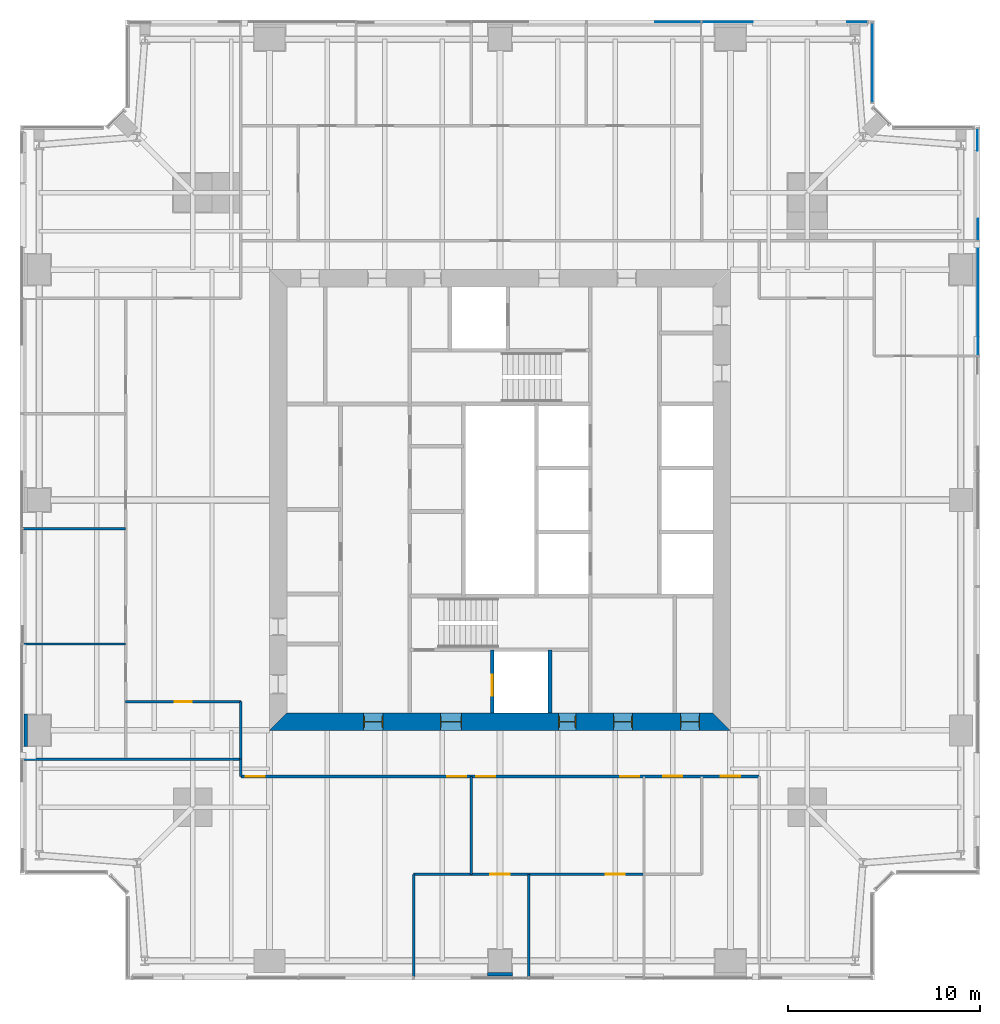
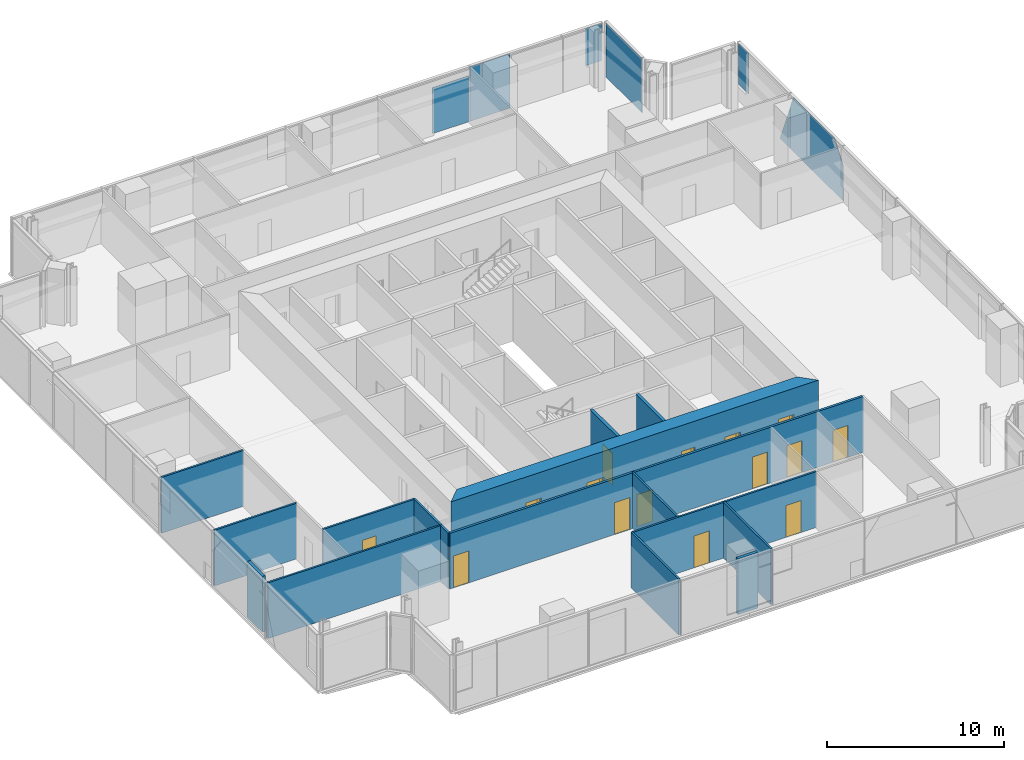
# One storey, part 9 of 14: 16 walls, 15 doors, 7 plates, 15 openings, 3 elements without a shape of their own.
"""IFC4 building model written with IfcOpenShell, lengths in metres."""

from ifc_helpers import new_model, si_unit, direction, frame, frame_2d, origin, origin_2d, place, context, subcontext, project, spatial, polyline, rectangle, outline, extrude, material, layer, layer_set, type_object, element, fill, aggregate, save


model = new_model("IFC4")

# Units and contexts
model_context = context("Model", 3, precision=1e-05, world=origin(), true_north=direction((0.0, 1.0)))
body_context = subcontext(model_context, "Body", "Model", "MODEL_VIEW")
ifc_project = project(units=[si_unit("LENGTHUNIT", "METRE"), si_unit("AREAUNIT", "SQUARE_METRE"), si_unit("VOLUMEUNIT", "CUBIC_METRE"), si_unit("PLANEANGLEUNIT", "RADIAN"), si_unit("MASSUNIT", "GRAM", prefix="KILO")], contexts=[model_context])

# Site, building, storey
site_placement = place(None, origin())
site = spatial("IfcSite", under=ifc_project, at=site_placement, CompositionType="ELEMENT")
building_placement = place(site_placement, origin())
building = spatial("IfcBuilding", under=site, at=building_placement, Name="Fenwick Lantern Interchange", CompositionType="ELEMENT")
storey_placement = place(building_placement, frame((0.0, 0.0, 189.800048828125)))
storey = spatial("IfcBuildingStorey", under=building, at=storey_placement, Name="L44", CompositionType="ELEMENT", Elevation=189.800048828125)

# Curtain wall, plates
ifc_material_1 = material(Name="Aluminium curtain wall frame", Category="aluminium")
curtain_wall_type = type_object("IfcCurtainWallType", Name="OFFICE CURTAIN WALL", PredefinedType="USERDEFINED", material=ifc_material_1)
curtain_wall_1_placement = place(storey_placement, origin())
curtain_wall_1 = element("IfcCurtainWall", 1, at=curtain_wall_1_placement, inside=storey, type_object=curtain_wall_type, Name="Office curtain wall 05", ObjectType="OFFICE CURTAIN WALL", PredefinedType="USERDEFINED")
ifc_material_2 = material(Name="Vision glass, clear low-iron double glazed", Category="glass")
ifc_layer_1 = layer(ifc_material_2, 0.031982421875)
ifc_layer_set_1 = layer_set([ifc_layer_1], Name="OFFICE CURTAIN WALL PANEL 32")
plate_type = type_object("IfcPlateType", Name="OFFICE CURTAIN WALL PANEL 32", PredefinedType="CURTAIN_PANEL", material=ifc_layer_set_1)
plate_1_placement = place(storey_placement, frame((49.89990234375, 5.60009765625, 0.0), z_axis=(0.0, 0.0, 1.0), x_axis=(0.0, 1.0, 0.0)))
plate_1 = element("IfcPlate", 2, at=plate_1_placement, type_object=plate_type, Name="L44/CW/05/P05a", PredefinedType="CURTAIN_PANEL", context=body_context, shape_type="SweptSolid", body=[
    extrude(outline(polyline([(26.9326171875, 0.0), (32.867431640625, 0.0), (32.867431640625, 2.999267578125), (32.5625, 3.75), (27.9169921875, 3.75), (26.9326171875, 2.437255859375), (26.9326171875, 0.0)])), frame((0.0, 0.01611328125, 0.0), z_axis=(0.0, -1.0, 0.0), x_axis=(1.0, 0.0, 0.0)), (0.0, 0.0, 1.0), 0.031982421875),
])
plate_2_placement = place(storey_placement, frame((49.89990234375, 5.60009765625, 0.0), z_axis=(0.0, 0.0, 1.0), x_axis=(0.0, 1.0, 0.0)))
plate_2 = element("IfcPlate", 3, at=plate_2_placement, type_object=plate_type, Name="L44/CW/05/P06a", PredefinedType="CURTAIN_PANEL", context=body_context, shape_type="SweptSolid", body=[
    extrude(outline(polyline([(32.9326171875, 0.0), (34.0859375, 0.0), (32.9326171875, 2.839111328125), (32.9326171875, 0.0)])), frame((0.0, 0.01611328125, 0.0), z_axis=(0.0, -1.0, 0.0), x_axis=(1.0, 0.0, 0.0)), (0.0, 0.0, 1.0), 0.031982421875),
])
plate_3_placement = place(storey_placement, frame((49.89990234375, 5.60009765625, 0.931396484375), z_axis=(0.0, 0.0, 1.0), x_axis=(0.0, 1.0, 0.0)))
plate_3 = element("IfcPlate", 4, at=plate_3_placement, type_object=plate_type, Name="L44/CW/05/P06b", PredefinedType="CURTAIN_PANEL", context=body_context, shape_type="SweptSolid", body=[
    extrude(outline(polyline([(37.59326171875, 0.0), (38.735107421875, 0.0), (38.735107421875, 2.818603515625), (37.59326171875, 2.818603515625), (37.59326171875, 0.0)])), frame((0.0, 0.0498046875, 0.0), z_axis=(0.0, -1.0, 0.0), x_axis=(1.0, 0.0, 0.0)), (0.0, 0.0, 1.0), 0.031982421875),
])
aggregate(curtain_wall_1, [plate_1, plate_2, plate_3])

# Curtain wall, plate
curtain_wall_2_placement = place(storey_placement, origin())
curtain_wall_2 = element("IfcCurtainWall", 5, at=curtain_wall_2_placement, inside=storey, type_object=curtain_wall_type, Name="Office curtain wall 08", ObjectType="OFFICE CURTAIN WALL", PredefinedType="USERDEFINED")
plate_4_placement = place(storey_placement, frame((44.39990234375, 47.779296875, 0.0), z_axis=(0.0, 0.0, 1.0), x_axis=(0.0, 1.0, 0.0)))
plate_4 = element("IfcPlate", 6, at=plate_4_placement, type_object=plate_type, Name="L44/CW/08/P00", PredefinedType="CURTAIN_PANEL", context=body_context, shape_type="SweptSolid", body=[
    extrude(rectangle(XDim=4.111328125, YDim=0.031982421875, at=origin_2d()), origin(), (0.0, 0.0, 1.0), 3.75),
])
aggregate(curtain_wall_2, [plate_4])

# Curtain wall, plates
curtain_wall_3_placement = place(storey_placement, origin())
curtain_wall_3 = element("IfcCurtainWall", 7, at=curtain_wall_3_placement, inside=storey, type_object=curtain_wall_type, Name="Office curtain wall 09", ObjectType="OFFICE CURTAIN WALL", PredefinedType="USERDEFINED")
plate_5_placement = place(storey_placement, frame((44.39990234375, 49.89990234375, 1.185546875), z_axis=(0.0, 0.0, 1.0), x_axis=(-1.0, 0.0, 0.0)))
plate_5 = element("IfcPlate", 8, at=plate_5_placement, type_object=plate_type, Name="L44/CW/09/P00a", PredefinedType="CURTAIN_PANEL", context=body_context, shape_type="SweptSolid", body=[
    extrude(outline(polyline([(0.264892578125, 0.0), (1.31005859375, 0.0), (1.31005859375, 2.564453125), (0.264892578125, 2.564453125), (0.264892578125, 0.0)])), frame((0.0, 0.01611328125, 0.0), z_axis=(0.0, -1.0, 0.0), x_axis=(1.0, 0.0, 0.0)), (0.0, 0.0, 1.0), 0.031982421875),
])
plate_6_placement = place(storey_placement, frame((44.39990234375, 49.89990234375, 0.0), z_axis=(0.0, 0.0, 1.0), x_axis=(-1.0, 0.0, 0.0)))
plate_6 = element("IfcPlate", 9, at=plate_6_placement, type_object=plate_type, Name="L44/CW/09/P01a", PredefinedType="CURTAIN_PANEL", context=body_context, shape_type="SweptSolid", body=[
    extrude(outline(polyline([(6.239013671875, 0.0), (8.867431640625, 0.0), (8.867431640625, 3.75), (6.239013671875, 3.75), (6.239013671875, 0.0)])), frame((0.0, 0.01611328125, 0.0), z_axis=(0.0, -1.0, 0.0), x_axis=(1.0, 0.0, 0.0)), (0.0, 0.0, 1.0), 0.031982421875),
])
plate_7_placement = place(storey_placement, frame((44.39990234375, 49.89990234375, 0.0), z_axis=(0.0, 0.0, 1.0), x_axis=(-1.0, 0.0, 0.0)))
plate_7 = element("IfcPlate", 10, at=plate_7_placement, type_object=plate_type, Name="L44/CW/09/P02a", PredefinedType="CURTAIN_PANEL", context=body_context, shape_type="SweptSolid", body=[
    extrude(outline(polyline([(8.9326171875, 0.0), (11.3125, 0.0), (11.3125, 3.17724609375), (8.9326171875, 3.17724609375), (8.9326171875, 0.0)])), frame((0.0, 0.01611328125, 0.0), z_axis=(0.0, -1.0, 0.0), x_axis=(1.0, 0.0, 0.0)), (0.0, 0.0, 1.0), 0.031982421875),
])
aggregate(curtain_wall_3, [plate_5, plate_6, plate_7])

# Walls
ifc_material_3 = material(Name="Fire-rated gypsum board encasement on steel studs, 2 hour", Category="steel")
ifc_layer_2 = layer(ifc_material_3, 1.300048828125)
ifc_layer_set_2 = layer_set([ifc_layer_2], Name="COLUMN PIER 1300")
wall_type_1 = type_object("IfcWallType", Name="COLUMN PIER 1300", PredefinedType="PARTITIONING", material=ifc_layer_set_2)
wall_1_placement = place(storey_placement, frame((25.0, 0.199951171875, 0.0), z_axis=(0.0, 0.0, 1.0), x_axis=(0.0, 1.0, 0.0)))
element("IfcWall", 11, at=wall_1_placement, inside=storey, type_object=wall_type_1, Name="L44/W/PIER/CS3", PredefinedType="PARTITIONING", context=body_context, shape_type="SweptSolid", body=[
    extrude(rectangle(XDim=0.199951171875, YDim=1.300048828125, at=frame_2d((0.10009765625, 0.0))), origin(), (0.0, 0.0, 1.0), 3.849853515625),
])
ifc_layer_3 = layer(ifc_material_3, 1.699951171875)
ifc_layer_set_3 = layer_set([ifc_layer_3], Name="COLUMN PIER 1700")
wall_type_2 = type_object("IfcWallType", Name="COLUMN PIER 1700", PredefinedType="PARTITIONING", material=ifc_layer_set_3)
wall_2_placement = place(storey_placement, frame((0.199951171875, 13.0, 0.0), z_axis=(0.0, 0.0, 1.0), x_axis=(1.0, 0.0, 0.0)))
element("IfcWall", 12, at=wall_2_placement, inside=storey, type_object=wall_type_2, Name="L44/W/PIER/CW4", PredefinedType="PARTITIONING", context=body_context, shape_type="SweptSolid", body=[
    extrude(rectangle(XDim=0.199951171875, YDim=1.699951171875, at=frame_2d((0.10009765625, 0.0))), origin(), (0.0, 0.0, 1.0), 3.849853515625),
])

# Wall, opening, door
ifc_material_4 = material(Name="Concrete masonry ASTM C90 Grade N", Category="masonry")
ifc_layer_4 = layer(ifc_material_4, 0.199951171875)
ifc_layer_set_4 = layer_set([ifc_layer_4], Name="Concrete masonry ASTM C90 Grade N")
wall_type_3 = type_object("IfcWallType", Name="CORE PARTITION 200", PredefinedType="PARTITIONING", material=ifc_layer_set_4)
wall_3_placement = place(storey_placement, frame((24.60009765625, 13.89990234375, 0.0), z_axis=(0.0, 0.0, 1.0), x_axis=(0.0, 1.0, 0.0)))
wall_3 = element("IfcWall", 13, at=wall_3_placement, inside=storey, type_object=wall_type_3, Name="L44/W/CORES/h1", PredefinedType="PARTITIONING", context=body_context, shape_type="SweptSolid", body=[
    extrude(rectangle(XDim=3.300048828125, YDim=0.199951171875, at=frame_2d((1.64990234375, 0.0))), origin(), (0.0, 0.0, 1.0), 3.800048828125),
])
opening_1_placement = place(wall_3_placement, frame((0.89990234375, 0.0, 0.0)))
opening_1 = element("IfcOpeningElement", 14, at=opening_1_placement, cuts=wall_3, Name="Opening LD-FL1", PredefinedType="OPENING", context=body_context, shape_type="SweptSolid", body=[
    extrude(rectangle(XDim=1.10009765625, YDim=2.199951171875, at=frame_2d((0.550048828125, 1.10009765625))), frame((0.0, 0.10986328125, 0.0), z_axis=(0.0, -1.0, 0.0), x_axis=(1.0, 0.0, 0.0)), (0.0, 0.0, 1.0), 0.219970703125),
])
ifc_material_5 = material(Name="Steel door and frame", Category="steel")
door_type_1 = type_object("IfcDoorType", Name="LIFT LANDING DOOR 1100 X 2200", OperationType="DOUBLE_DOOR_SLIDING", PredefinedType="DOOR", material=ifc_material_5)
door_1_placement = place(opening_1_placement, origin())
door_1 = element("IfcDoor", 15, at=door_1_placement, inside=storey, type_object=door_type_1, Name="Lift landing door FL1", OperationType="DOUBLE_DOOR_SLIDING", OverallHeight=2.199951171875, OverallWidth=1.10009765625, PredefinedType="DOOR", context=body_context, shape_type="SweptSolid", body=[
    extrude(rectangle(XDim=1.10009765625, YDim=2.199951171875, at=frame_2d((0.550048828125, 1.10009765625))), frame((0.0, 0.02490234375, 0.0), z_axis=(0.0, -1.0, 0.0), x_axis=(1.0, 0.0, 0.0)), (0.0, 0.0, 1.0), 0.050048828125),
])
fill(opening_1, door_1)

# Wall
wall_4_placement = place(storey_placement, frame((27.60009765625, 13.89990234375, 0.0), z_axis=(0.0, 0.0, 1.0), x_axis=(0.0, 1.0, 0.0)))
element("IfcWall", 16, at=wall_4_placement, inside=storey, type_object=wall_type_3, Name="L44/W/CORES/h2", PredefinedType="PARTITIONING", context=body_context, shape_type="SweptSolid", body=[
    extrude(rectangle(XDim=3.300048828125, YDim=0.199951171875, at=frame_2d((1.64990234375, 0.0))), origin(), (0.0, 0.0, 1.0), 3.800048828125),
])

# Wall, openings, doors
ifc_material_6 = material(Name="Concrete f'c 70 MPa", Category="concrete")
ifc_layer_5 = layer(ifc_material_6, 0.89990234375)
ifc_layer_set_5 = layer_set([ifc_layer_5], Name="CORE WALL 900")
wall_type_4 = type_object("IfcWallType", Name="CORE WALL 900", PredefinedType="SHEAR", material=ifc_layer_set_5)
wall_5_placement = place(storey_placement, frame((13.0, 13.449951171875, 0.0), z_axis=(0.0, 0.0, 1.0), x_axis=(1.0, 0.0, 0.0)))
wall_5 = element("IfcWall", 17, at=wall_5_placement, inside=storey, type_object=wall_type_4, Name="L44/CORE/S", PredefinedType="SHEAR", context=body_context, shape_type="SweptSolid", body=[
    extrude(outline(polyline([(0.0, -0.449951171875), (24.0, -0.449951171875), (23.10009765625, 0.449951171875), (0.89990234375, 0.449951171875), (0.0, -0.449951171875)])), origin(), (0.0, 0.0, 1.0), 4.0),
])
opening_2_placement = place(wall_5_placement, frame((4.89990234375, 0.0, 0.0)))
opening_2 = element("IfcOpeningElement", 18, at=opening_2_placement, cuts=wall_5, Name="Opening L44-D001", PredefinedType="OPENING", context=body_context, shape_type="SweptSolid", body=[
    extrude(rectangle(XDim=1.0, YDim=2.199951171875, at=frame_2d((0.5, 1.10009765625))), frame((0.0, 0.4599609375, 0.0), z_axis=(0.0, -1.0, 0.0), x_axis=(1.0, 0.0, 0.0)), (0.0, 0.0, 1.0), 0.919921875),
])
opening_3_placement = place(wall_5_placement, frame((8.89990234375, 0.0, 0.0)))
opening_3 = element("IfcOpeningElement", 19, at=opening_3_placement, cuts=wall_5, Name="Opening L44-D002", PredefinedType="OPENING", context=body_context, shape_type="SweptSolid", body=[
    extrude(rectangle(XDim=1.10009765625, YDim=2.199951171875, at=frame_2d((0.550048828125, 1.10009765625))), frame((0.0, 0.4599609375, 0.0), z_axis=(0.0, -1.0, 0.0), x_axis=(1.0, 0.0, 0.0)), (0.0, 0.0, 1.0), 0.919921875),
])
opening_4_placement = place(wall_5_placement, frame((15.050048828125, 0.0, 0.0)))
opening_4 = element("IfcOpeningElement", 20, at=opening_4_placement, cuts=wall_5, Name="Opening L44-D004", PredefinedType="OPENING", context=body_context, shape_type="SweptSolid", body=[
    extrude(rectangle(XDim=0.89990234375, YDim=2.199951171875, at=frame_2d((0.449951171875, 1.10009765625))), frame((0.0, 0.4599609375, 0.0), z_axis=(0.0, -1.0, 0.0), x_axis=(1.0, 0.0, 0.0)), (0.0, 0.0, 1.0), 0.919921875),
])
opening_5_placement = place(wall_5_placement, frame((17.89990234375, 0.0, 0.0)))
opening_5 = element("IfcOpeningElement", 21, at=opening_5_placement, cuts=wall_5, Name="Opening L44-D005", PredefinedType="OPENING", context=body_context, shape_type="SweptSolid", body=[
    extrude(rectangle(XDim=1.0, YDim=2.199951171875, at=frame_2d((0.5, 1.10009765625))), frame((0.0, 0.4599609375, 0.0), z_axis=(0.0, -1.0, 0.0), x_axis=(1.0, 0.0, 0.0)), (0.0, 0.0, 1.0), 0.919921875),
])
opening_6_placement = place(wall_5_placement, frame((21.39990234375, 0.0, 0.0)))
opening_6 = element("IfcOpeningElement", 22, at=opening_6_placement, cuts=wall_5, Name="Opening L44-D006", PredefinedType="OPENING", context=body_context, shape_type="SweptSolid", body=[
    extrude(rectangle(XDim=1.0, YDim=2.199951171875, at=frame_2d((0.5, 1.10009765625))), frame((0.0, 0.4599609375, 0.0), z_axis=(0.0, -1.0, 0.0), x_axis=(1.0, 0.0, 0.0)), (0.0, 0.0, 1.0), 0.919921875),
])
door_type_2 = type_object("IfcDoorType", Name="CORE LOBBY DOOR 1000 X 2200", OperationType="SINGLE_SWING_LEFT", PredefinedType="DOOR", material=ifc_material_5)
door_2_placement = place(opening_2_placement, origin())
door_2 = element("IfcDoor", 23, at=door_2_placement, inside=storey, type_object=door_type_2, Name="Core lobby door", OperationType="SINGLE_SWING_LEFT", OverallHeight=2.199951171875, OverallWidth=1.0, PredefinedType="DOOR", context=body_context, shape_type="SweptSolid", body=[
    extrude(rectangle(XDim=1.0, YDim=2.199951171875, at=frame_2d((0.5, 1.10009765625))), frame((0.0, 0.02490234375, 0.0), z_axis=(0.0, -1.0, 0.0), x_axis=(1.0, 0.0, 0.0)), (0.0, 0.0, 1.0), 0.050048828125),
    extrude(outline(polyline([(0.0, 0.0), (0.0400390625, 0.0), (0.0400390625, 2.159912109375), (0.9599609375, 2.159912109375), (0.9599609375, 0.0), (1.0, 0.0), (1.0, 2.199951171875), (0.0, 2.199951171875), (0.0, 0.0)])), frame((0.0, 0.300048828125, 0.0), z_axis=(0.0, -1.0, 0.0), x_axis=(1.0, 0.0, 0.0)), (0.0, 0.0, 1.0), 0.60009765625),
])
fill(opening_2, door_2)
door_type_3 = type_object("IfcDoorType", Name="FIRE LOBBY DOOR 1100 X 2200", OperationType="SINGLE_SWING_LEFT", PredefinedType="DOOR", material=ifc_material_5)
door_3_placement = place(opening_3_placement, origin())
door_3 = element("IfcDoor", 24, at=door_3_placement, inside=storey, type_object=door_type_3, Name="Fire lobby door", OperationType="SINGLE_SWING_LEFT", OverallHeight=2.199951171875, OverallWidth=1.10009765625, PredefinedType="DOOR", context=body_context, shape_type="SweptSolid", body=[
    extrude(rectangle(XDim=1.10009765625, YDim=2.199951171875, at=frame_2d((0.550048828125, 1.10009765625))), frame((0.0, 0.02490234375, 0.0), z_axis=(0.0, -1.0, 0.0), x_axis=(1.0, 0.0, 0.0)), (0.0, 0.0, 1.0), 0.050048828125),
    extrude(outline(polyline([(0.0, 0.0), (0.0400390625, 0.0), (0.0400390625, 2.159912109375), (1.06005859375, 2.159912109375), (1.06005859375, 0.0), (1.10009765625, 0.0), (1.10009765625, 2.199951171875), (0.0, 2.199951171875), (0.0, 0.0)])), frame((0.0, 0.300048828125, 0.0), z_axis=(0.0, -1.0, 0.0), x_axis=(1.0, 0.0, 0.0)), (0.0, 0.0, 1.0), 0.60009765625),
])
fill(opening_3, door_3)
door_type_4 = type_object("IfcDoorType", Name="SERVICE DOOR 900 X 2200", OperationType="SINGLE_SWING_LEFT", PredefinedType="DOOR", material=ifc_material_5)
door_4_placement = place(opening_4_placement, origin())
door_4 = element("IfcDoor", 25, at=door_4_placement, inside=storey, type_object=door_type_4, Name="Service door", OperationType="SINGLE_SWING_LEFT", OverallHeight=2.199951171875, OverallWidth=0.89990234375, PredefinedType="DOOR", context=body_context, shape_type="SweptSolid", body=[
    extrude(rectangle(XDim=0.89990234375, YDim=2.199951171875, at=frame_2d((0.449951171875, 1.10009765625))), frame((0.0, 0.02490234375, 0.0), z_axis=(0.0, -1.0, 0.0), x_axis=(1.0, 0.0, 0.0)), (0.0, 0.0, 1.0), 0.050048828125),
    extrude(outline(polyline([(0.0, 0.0), (0.0400390625, 0.0), (0.0400390625, 2.159912109375), (0.85986328125, 2.159912109375), (0.85986328125, 0.0), (0.89990234375, 0.0), (0.89990234375, 2.199951171875), (0.0, 2.199951171875), (0.0, 0.0)])), frame((0.0, 0.300048828125, 0.0), z_axis=(0.0, -1.0, 0.0), x_axis=(1.0, 0.0, 0.0)), (0.0, 0.0, 1.0), 0.60009765625),
])
fill(opening_4, door_4)
ifc_material_7 = material(Name="Hardwood door and steel frame", Category="steel")
door_type_5 = type_object("IfcDoorType", Name="WC DOOR 1000 X 2200", OperationType="SINGLE_SWING_LEFT", PredefinedType="DOOR", material=ifc_material_7)
door_5_placement = place(opening_5_placement, origin())
door_5 = element("IfcDoor", 26, at=door_5_placement, inside=storey, type_object=door_type_5, Name="Wc door", OperationType="SINGLE_SWING_LEFT", OverallHeight=2.199951171875, OverallWidth=1.0, PredefinedType="DOOR", context=body_context, shape_type="SweptSolid", body=[
    extrude(rectangle(XDim=1.0, YDim=2.199951171875, at=frame_2d((0.5, 1.10009765625))), frame((0.0, 0.02490234375, 0.0), z_axis=(0.0, -1.0, 0.0), x_axis=(1.0, 0.0, 0.0)), (0.0, 0.0, 1.0), 0.050048828125),
    extrude(outline(polyline([(0.0, 0.0), (0.0400390625, 0.0), (0.0400390625, 2.159912109375), (0.9599609375, 2.159912109375), (0.9599609375, 0.0), (1.0, 0.0), (1.0, 2.199951171875), (0.0, 2.199951171875), (0.0, 0.0)])), frame((0.0, 0.300048828125, 0.0), z_axis=(0.0, -1.0, 0.0), x_axis=(1.0, 0.0, 0.0)), (0.0, 0.0, 1.0), 0.60009765625),
])
fill(opening_5, door_5)
door_6_placement = place(opening_6_placement, origin())
door_6 = element("IfcDoor", 27, at=door_6_placement, inside=storey, type_object=door_type_5, Name="Wc door", OperationType="SINGLE_SWING_LEFT", OverallHeight=2.199951171875, OverallWidth=1.0, PredefinedType="DOOR", context=body_context, shape_type="SweptSolid", body=[
    extrude(rectangle(XDim=1.0, YDim=2.199951171875, at=frame_2d((0.5, 1.10009765625))), frame((0.0, 0.02490234375, 0.0), z_axis=(0.0, -1.0, 0.0), x_axis=(1.0, 0.0, 0.0)), (0.0, 0.0, 1.0), 0.050048828125),
    extrude(outline(polyline([(0.0, 0.0), (0.0400390625, 0.0), (0.0400390625, 2.159912109375), (0.9599609375, 2.159912109375), (0.9599609375, 0.0), (1.0, 0.0), (1.0, 2.199951171875), (0.0, 2.199951171875), (0.0, 0.0)])), frame((0.0, 0.300048828125, 0.0), z_axis=(0.0, -1.0, 0.0), x_axis=(1.0, 0.0, 0.0)), (0.0, 0.0, 1.0), 0.60009765625),
])
fill(opening_6, door_6)

# Wall
ifc_material_8 = material(Name="Gypsum board on steel studs, 1 hour", Category="steel")
ifc_layer_6 = layer(ifc_material_8, 0.14990234375)
ifc_layer_set_6 = layer_set([ifc_layer_6], Name="CORRIDOR WALL 150")
wall_type_5 = type_object("IfcWallType", Name="CORRIDOR WALL 150", PredefinedType="PARTITIONING", material=ifc_layer_set_6)
wall_6_placement = place(storey_placement, frame((11.5, 11.5, 0.0), z_axis=(0.0, 0.0, 1.0), x_axis=(0.0, -1.0, 0.0)))
element("IfcWall", 28, at=wall_6_placement, inside=storey, type_object=wall_type_5, Name="L44/W/OFF/S/CWJ", PredefinedType="PARTITIONING", context=body_context, shape_type="SweptSolid", body=[
    extrude(rectangle(XDim=0.89990234375, YDim=0.14990234375, at=frame_2d((0.449951171875, 0.0))), origin(), (0.0, 0.0, 1.0), 3.849853515625),
])

# Wall, openings, doors
wall_7_placement = place(storey_placement, frame((11.5, 10.60009765625, 0.0), z_axis=(0.0, 0.0, 1.0), x_axis=(1.0, 0.0, 0.0)))
wall_7 = element("IfcWall", 29, at=wall_7_placement, inside=storey, type_object=wall_type_5, Name="L44/W/OFF/S/CW2", PredefinedType="PARTITIONING", context=body_context, shape_type="SweptSolid", body=[
    extrude(rectangle(XDim=27.0, YDim=0.14990234375, at=frame_2d((13.5, 0.0))), origin(), (0.0, 0.0, 1.0), 3.849853515625),
])
opening_7_placement = place(wall_7_placement, frame((12.25, 0.0, 0.0)))
opening_7 = element("IfcOpeningElement", 30, at=opening_7_placement, cuts=wall_7, Name="Opening L44-D022", PredefinedType="OPENING", context=body_context, shape_type="SweptSolid", body=[
    extrude(rectangle(XDim=1.0, YDim=2.199951171875, at=frame_2d((0.5, 1.10009765625))), frame((0.0, 0.0849609375, 0.0), z_axis=(0.0, -1.0, 0.0), x_axis=(1.0, 0.0, 0.0)), (0.0, 0.0, 1.0), 0.169921875),
])
opening_8_placement = place(wall_7_placement, frame((19.75, 0.0, 0.0)))
opening_8 = element("IfcOpeningElement", 31, at=opening_8_placement, cuts=wall_7, Name="Opening L44-D023", PredefinedType="OPENING", context=body_context, shape_type="SweptSolid", body=[
    extrude(rectangle(XDim=1.0, YDim=2.199951171875, at=frame_2d((0.5, 1.10009765625))), frame((0.0, 0.0849609375, 0.0), z_axis=(0.0, -1.0, 0.0), x_axis=(1.0, 0.0, 0.0)), (0.0, 0.0, 1.0), 0.169921875),
])
opening_9_placement = place(wall_7_placement, frame((0.25, 0.0, 0.0)))
opening_9 = element("IfcOpeningElement", 32, at=opening_9_placement, cuts=wall_7, Name="Opening L44-D026", PredefinedType="OPENING", context=body_context, shape_type="SweptSolid", body=[
    extrude(rectangle(XDim=1.0, YDim=2.199951171875, at=frame_2d((0.5, 1.10009765625))), frame((0.0, 0.0849609375, 0.0), z_axis=(0.0, -1.0, 0.0), x_axis=(1.0, 0.0, 0.0)), (0.0, 0.0, 1.0), 0.169921875),
])
opening_10_placement = place(wall_7_placement, frame((10.75, 0.0, 0.0)))
opening_10 = element("IfcOpeningElement", 33, at=opening_10_placement, cuts=wall_7, Name="Opening L44-D027", PredefinedType="OPENING", context=body_context, shape_type="SweptSolid", body=[
    extrude(rectangle(XDim=1.0, YDim=2.199951171875, at=frame_2d((0.5, 1.10009765625))), frame((0.0, 0.0849609375, 0.0), z_axis=(0.0, -1.0, 0.0), x_axis=(1.0, 0.0, 0.0)), (0.0, 0.0, 1.0), 0.169921875),
])
opening_11_placement = place(wall_7_placement, frame((22.0, 0.0, 0.0)))
opening_11 = element("IfcOpeningElement", 34, at=opening_11_placement, cuts=wall_7, Name="Opening L44-D028", PredefinedType="OPENING", context=body_context, shape_type="SweptSolid", body=[
    extrude(rectangle(XDim=1.0, YDim=2.199951171875, at=frame_2d((0.5, 1.10009765625))), frame((0.0, 0.0849609375, 0.0), z_axis=(0.0, -1.0, 0.0), x_axis=(1.0, 0.0, 0.0)), (0.0, 0.0, 1.0), 0.169921875),
])
opening_12_placement = place(wall_7_placement, frame((25.0, 0.0, 0.0)))
opening_12 = element("IfcOpeningElement", 35, at=opening_12_placement, cuts=wall_7, Name="Opening L44-D029", PredefinedType="OPENING", context=body_context, shape_type="SweptSolid", body=[
    extrude(rectangle(XDim=1.0, YDim=2.199951171875, at=frame_2d((0.5, 1.10009765625))), frame((0.0, 0.0849609375, 0.0), z_axis=(0.0, -1.0, 0.0), x_axis=(1.0, 0.0, 0.0)), (0.0, 0.0, 1.0), 0.169921875),
])
door_type_6 = type_object("IfcDoorType", Name="SUITE ENTRANCE DOOR 1000 X 2200", OperationType="SINGLE_SWING_LEFT", PredefinedType="DOOR", material=ifc_material_5)
door_7_placement = place(opening_7_placement, origin())
door_7 = element("IfcDoor", 36, at=door_7_placement, inside=storey, type_object=door_type_6, Name="Suite entrance door", OperationType="SINGLE_SWING_LEFT", OverallHeight=2.199951171875, OverallWidth=1.0, PredefinedType="DOOR", context=body_context, shape_type="SweptSolid", body=[
    extrude(rectangle(XDim=1.0, YDim=2.199951171875, at=frame_2d((0.5, 1.10009765625))), frame((0.0, 0.02490234375, 0.0), z_axis=(0.0, -1.0, 0.0), x_axis=(1.0, 0.0, 0.0)), (0.0, 0.0, 1.0), 0.050048828125),
])
fill(opening_7, door_7)
door_8_placement = place(opening_8_placement, origin())
door_8 = element("IfcDoor", 37, at=door_8_placement, inside=storey, type_object=door_type_6, Name="Suite entrance door", OperationType="SINGLE_SWING_RIGHT", OverallHeight=2.199951171875, OverallWidth=1.0, PredefinedType="DOOR", context=body_context, shape_type="SweptSolid", body=[
    extrude(rectangle(XDim=1.0, YDim=2.199951171875, at=frame_2d((0.5, 1.10009765625))), frame((0.0, 0.02490234375, 0.0), z_axis=(0.0, -1.0, 0.0), x_axis=(1.0, 0.0, 0.0)), (0.0, 0.0, 1.0), 0.050048828125),
])
fill(opening_8, door_8)
door_9_placement = place(opening_9_placement, origin())
door_9 = element("IfcDoor", 38, at=door_9_placement, inside=storey, type_object=door_type_6, Name="Suite entrance door", OperationType="SINGLE_SWING_LEFT", OverallHeight=2.199951171875, OverallWidth=1.0, PredefinedType="DOOR", context=body_context, shape_type="SweptSolid", body=[
    extrude(rectangle(XDim=1.0, YDim=2.199951171875, at=frame_2d((0.5, 1.10009765625))), frame((0.0, 0.02490234375, 0.0), z_axis=(0.0, -1.0, 0.0), x_axis=(1.0, 0.0, 0.0)), (0.0, 0.0, 1.0), 0.050048828125),
])
fill(opening_9, door_9)
door_10_placement = place(opening_10_placement, origin())
door_10 = element("IfcDoor", 39, at=door_10_placement, inside=storey, type_object=door_type_6, Name="Suite entrance door", OperationType="SINGLE_SWING_LEFT", OverallHeight=2.199951171875, OverallWidth=1.0, PredefinedType="DOOR", context=body_context, shape_type="SweptSolid", body=[
    extrude(rectangle(XDim=1.0, YDim=2.199951171875, at=frame_2d((0.5, 1.10009765625))), frame((0.0, 0.02490234375, 0.0), z_axis=(0.0, -1.0, 0.0), x_axis=(1.0, 0.0, 0.0)), (0.0, 0.0, 1.0), 0.050048828125),
])
fill(opening_10, door_10)
door_11_placement = place(opening_11_placement, frame((1.0, 0.0, 0.0), z_axis=(0.0, 0.0, 1.0), x_axis=(-1.0, 0.0, 0.0)))
door_11 = element("IfcDoor", 40, at=door_11_placement, inside=storey, type_object=door_type_6, Name="Suite entrance door", OperationType="SINGLE_SWING_RIGHT", OverallHeight=2.199951171875, OverallWidth=1.0, PredefinedType="DOOR", context=body_context, shape_type="SweptSolid", body=[
    extrude(rectangle(XDim=1.0, YDim=2.199951171875, at=frame_2d((0.5, 1.10009765625))), frame((0.0, 0.02490234375, 0.0), z_axis=(0.0, -1.0, 0.0), x_axis=(1.0, 0.0, 0.0)), (0.0, 0.0, 1.0), 0.050048828125),
])
fill(opening_11, door_11)
door_12_placement = place(opening_12_placement, frame((1.0, 0.0, 0.0), z_axis=(0.0, 0.0, 1.0), x_axis=(-1.0, 0.0, 0.0)))
door_12 = element("IfcDoor", 41, at=door_12_placement, inside=storey, type_object=door_type_6, Name="Suite entrance door", OperationType="SINGLE_SWING_RIGHT", OverallHeight=2.199951171875, OverallWidth=1.0, PredefinedType="DOOR", context=body_context, shape_type="SweptSolid", body=[
    extrude(rectangle(XDim=1.0, YDim=2.199951171875, at=frame_2d((0.5, 1.10009765625))), frame((0.0, 0.02490234375, 0.0), z_axis=(0.0, -1.0, 0.0), x_axis=(1.0, 0.0, 0.0)), (0.0, 0.0, 1.0), 0.050048828125),
])
fill(opening_12, door_12)

# Walls
ifc_material_9 = material(Name="Gypsum board on steel studs, acoustic", Category="steel")
ifc_layer_7 = layer(ifc_material_9, 0.125)
ifc_layer_set_7 = layer_set([ifc_layer_7], Name="OFFICE PARTITION 125")
wall_type_6 = type_object("IfcWallType", Name="OFFICE PARTITION 125", PredefinedType="PARTITIONING", material=ifc_layer_set_7)
wall_8_placement = place(storey_placement, frame((0.14990234375, 11.5, 0.0), z_axis=(0.0, 0.0, 1.0), x_axis=(1.0, 0.0, 0.0)))
element("IfcWall", 42, at=wall_8_placement, inside=storey, type_object=wall_type_6, Name="L44/W/OFF/S/BACK", PredefinedType="PARTITIONING", context=body_context, shape_type="SweptSolid", body=[
    extrude(rectangle(XDim=11.35009765625, YDim=0.125, at=frame_2d((5.675048828125, 0.0))), origin(), (0.0, 0.0, 1.0), 3.849853515625),
])
wall_9_placement = place(storey_placement, frame((20.5, 0.14990234375, 0.0), z_axis=(0.0, 0.0, 1.0), x_axis=(0.0, 1.0, 0.0)))
element("IfcWall", 43, at=wall_9_placement, inside=storey, type_object=wall_type_6, Name="L44/W/OFF/S/X205-1", PredefinedType="PARTITIONING", context=body_context, shape_type="SweptSolid", body=[
    extrude(rectangle(XDim=5.35009765625, YDim=0.125, at=frame_2d((2.675048828125, 0.0))), origin(), (0.0, 0.0, 1.0), 3.849853515625),
])
wall_10_placement = place(storey_placement, frame((23.5, 5.5, 0.0), z_axis=(0.0, 0.0, 1.0), x_axis=(0.0, 1.0, 0.0)))
element("IfcWall", 44, at=wall_10_placement, inside=storey, type_object=wall_type_6, Name="L44/W/OFF/S/X235-1", PredefinedType="PARTITIONING", context=body_context, shape_type="SweptSolid", body=[
    extrude(rectangle(XDim=5.10009765625, YDim=0.125, at=frame_2d((2.550048828125, 0.0))), origin(), (0.0, 0.0, 1.0), 3.849853515625),
])
wall_11_placement = place(storey_placement, frame((26.5, 0.14990234375, 0.0), z_axis=(0.0, 0.0, 1.0), x_axis=(0.0, 1.0, 0.0)))
element("IfcWall", 45, at=wall_11_placement, inside=storey, type_object=wall_type_6, Name="L44/W/OFF/S/X265-1", PredefinedType="PARTITIONING", context=body_context, shape_type="SweptSolid", body=[
    extrude(rectangle(XDim=5.35009765625, YDim=0.125, at=frame_2d((2.675048828125, 0.0))), origin(), (0.0, 0.0, 1.0), 3.849853515625),
])

# Wall, openings, doors
wall_12_placement = place(storey_placement, frame((20.5, 5.5, 0.0), z_axis=(0.0, 0.0, 1.0), x_axis=(1.0, 0.0, 0.0)))
wall_12 = element("IfcWall", 46, at=wall_12_placement, inside=storey, type_object=wall_type_6, Name="L44/W/OFF/S/Y55-1", PredefinedType="PARTITIONING", context=body_context, shape_type="SweptSolid", body=[
    extrude(rectangle(XDim=12.0, YDim=0.125, at=frame_2d((6.0, 0.0))), origin(), (0.0, 0.0, 1.0), 3.849853515625),
])
opening_13_placement = place(wall_12_placement, frame((4.0, 0.0, 0.0)))
opening_13 = element("IfcOpeningElement", 47, at=opening_13_placement, cuts=wall_12, Name="Opening L44-D024", PredefinedType="OPENING", context=body_context, shape_type="SweptSolid", body=[
    extrude(rectangle(XDim=1.0, YDim=2.199951171875, at=frame_2d((0.5, 1.10009765625))), frame((0.0, 0.072509765625, 0.0), z_axis=(0.0, -1.0, 0.0), x_axis=(1.0, 0.0, 0.0)), (0.0, 0.0, 1.0), 0.14501953125),
])
opening_14_placement = place(wall_12_placement, frame((10.0, 0.0, 0.0)))
opening_14 = element("IfcOpeningElement", 48, at=opening_14_placement, cuts=wall_12, Name="Opening L44-D025", PredefinedType="OPENING", context=body_context, shape_type="SweptSolid", body=[
    extrude(rectangle(XDim=1.0, YDim=2.199951171875, at=frame_2d((0.5, 1.10009765625))), frame((0.0, 0.072509765625, 0.0), z_axis=(0.0, -1.0, 0.0), x_axis=(1.0, 0.0, 0.0)), (0.0, 0.0, 1.0), 0.14501953125),
])
door_type_7 = type_object("IfcDoorType", Name="MEETING ROOM DOOR 1000 X 2200", OperationType="SINGLE_SWING_LEFT", PredefinedType="DOOR", material=ifc_material_7)
door_13_placement = place(opening_13_placement, frame((1.0, 0.0, 0.0), z_axis=(0.0, 0.0, 1.0), x_axis=(-1.0, 0.0, 0.0)))
door_13 = element("IfcDoor", 49, at=door_13_placement, inside=storey, type_object=door_type_7, Name="Meeting room door", OperationType="SINGLE_SWING_LEFT", OverallHeight=2.199951171875, OverallWidth=1.0, PredefinedType="DOOR", context=body_context, shape_type="SweptSolid", body=[
    extrude(rectangle(XDim=1.0, YDim=2.199951171875, at=frame_2d((0.5, 1.10009765625))), frame((0.0, 0.02490234375, 0.0), z_axis=(0.0, -1.0, 0.0), x_axis=(1.0, 0.0, 0.0)), (0.0, 0.0, 1.0), 0.050048828125),
])
fill(opening_13, door_13)
door_14_placement = place(opening_14_placement, frame((1.0, 0.0, 0.0), z_axis=(0.0, 0.0, 1.0), x_axis=(-1.0, 0.0, 0.0)))
door_14 = element("IfcDoor", 50, at=door_14_placement, inside=storey, type_object=door_type_7, Name="Meeting room door", OperationType="SINGLE_SWING_LEFT", OverallHeight=2.199951171875, OverallWidth=1.0, PredefinedType="DOOR", context=body_context, shape_type="SweptSolid", body=[
    extrude(rectangle(XDim=1.0, YDim=2.199951171875, at=frame_2d((0.5, 1.10009765625))), frame((0.0, 0.02490234375, 0.0), z_axis=(0.0, -1.0, 0.0), x_axis=(1.0, 0.0, 0.0)), (0.0, 0.0, 1.0), 0.050048828125),
])
fill(opening_14, door_14)

# Walls
for number, where, z_axis, x_axis, name in (
    (51, (0.14990234375, 23.5, 0.0), (0.0, 0.0, 1.0), (1.0, 0.0, 0.0), "L44/W/OFF/W/X265-1"),
    (52, (0.14990234375, 17.5, 0.0), (0.0, 0.0, 1.0), (1.0, 0.0, 0.0), "L44/W/OFF/W/X325-1"),
):
    element("IfcWall", number, at=place(storey_placement, frame(where, z_axis=z_axis, x_axis=x_axis)), inside=storey, type_object=wall_type_6, Name=name, PredefinedType="PARTITIONING", context=body_context, shape_type="SweptSolid", body=[
        extrude(rectangle(XDim=5.35009765625, YDim=0.125, at=frame_2d((2.675048828125, 0.0))), origin(), (0.0, 0.0, 1.0), 3.849853515625),
    ])

# Wall, opening, door
wall_13_placement = place(storey_placement, frame((5.5, 14.5, 0.0), z_axis=(0.0, 0.0, 1.0), x_axis=(1.0, 0.0, 0.0)))
wall_13 = element("IfcWall", 53, at=wall_13_placement, inside=storey, type_object=wall_type_6, Name="L44/W/OFF/W/X355-1", PredefinedType="PARTITIONING", context=body_context, shape_type="SweptSolid", body=[
    extrude(rectangle(XDim=6.0, YDim=0.125, at=frame_2d((3.0, 0.0))), origin(), (0.0, 0.0, 1.0), 3.849853515625),
])
opening_15_placement = place(wall_13_placement, frame((2.550048828125, 0.0, 0.0)))
opening_15 = element("IfcOpeningElement", 54, at=opening_15_placement, cuts=wall_13, Name="Opening L44-D044", PredefinedType="OPENING", context=body_context, shape_type="SweptSolid", body=[
    extrude(rectangle(XDim=0.89990234375, YDim=2.199951171875, at=frame_2d((0.449951171875, 1.10009765625))), frame((0.0, 0.072509765625, 0.0), z_axis=(0.0, -1.0, 0.0), x_axis=(1.0, 0.0, 0.0)), (0.0, 0.0, 1.0), 0.14501953125),
])
door_type_8 = type_object("IfcDoorType", Name="OFFICE DOOR 900 X 2200", OperationType="SINGLE_SWING_LEFT", PredefinedType="DOOR", material=ifc_material_7)
door_15_placement = place(opening_15_placement, frame((0.89990234375, 0.0, 0.0), z_axis=(0.0, 0.0, 1.0), x_axis=(-1.0, 0.0, 0.0)))
door_15 = element("IfcDoor", 55, at=door_15_placement, inside=storey, type_object=door_type_8, Name="Office door", OperationType="SINGLE_SWING_RIGHT", OverallHeight=2.199951171875, OverallWidth=0.89990234375, PredefinedType="DOOR", context=body_context, shape_type="SweptSolid", body=[
    extrude(rectangle(XDim=0.89990234375, YDim=2.199951171875, at=frame_2d((0.449951171875, 1.10009765625))), frame((0.0, 0.02490234375, 0.0), z_axis=(0.0, -1.0, 0.0), x_axis=(1.0, 0.0, 0.0)), (0.0, 0.0, 1.0), 0.050048828125),
])
fill(opening_15, door_15)

# Wall
wall_14_placement = place(storey_placement, frame((11.5, 14.5, 0.0), z_axis=(0.0, 0.0, 1.0), x_axis=(0.0, -1.0, 0.0)))
element("IfcWall", 56, at=wall_14_placement, inside=storey, type_object=wall_type_6, Name="L44/W/OFF/W/CWS2", PredefinedType="PARTITIONING", context=body_context, shape_type="SweptSolid", body=[
    extrude(rectangle(XDim=3.0, YDim=0.125, at=frame_2d((1.5, 0.0))), origin(), (0.0, 0.0, 1.0), 3.849853515625),
])

save(model, "model.ifc")
